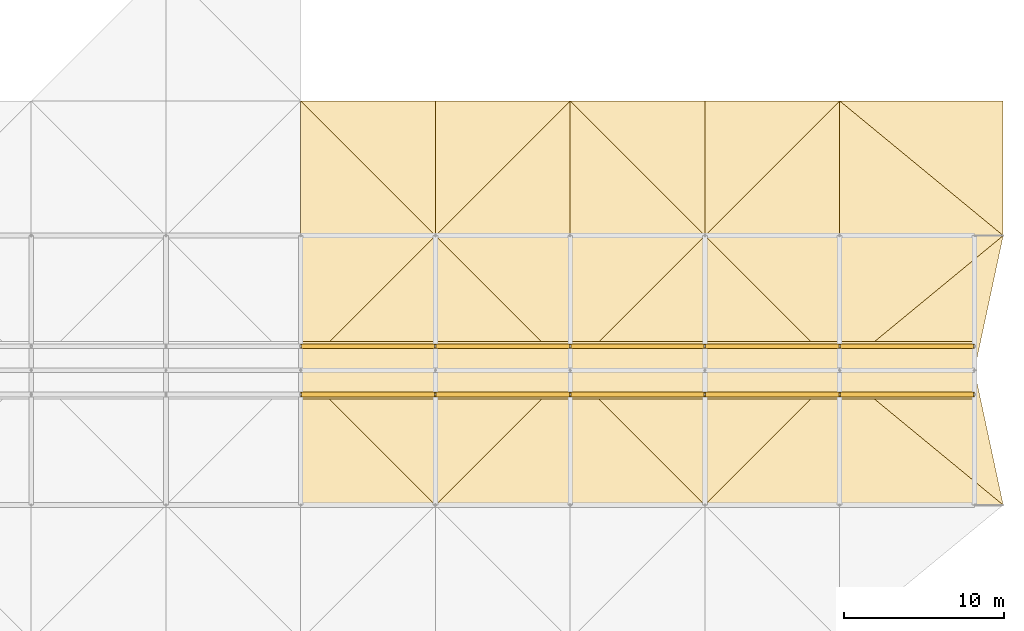
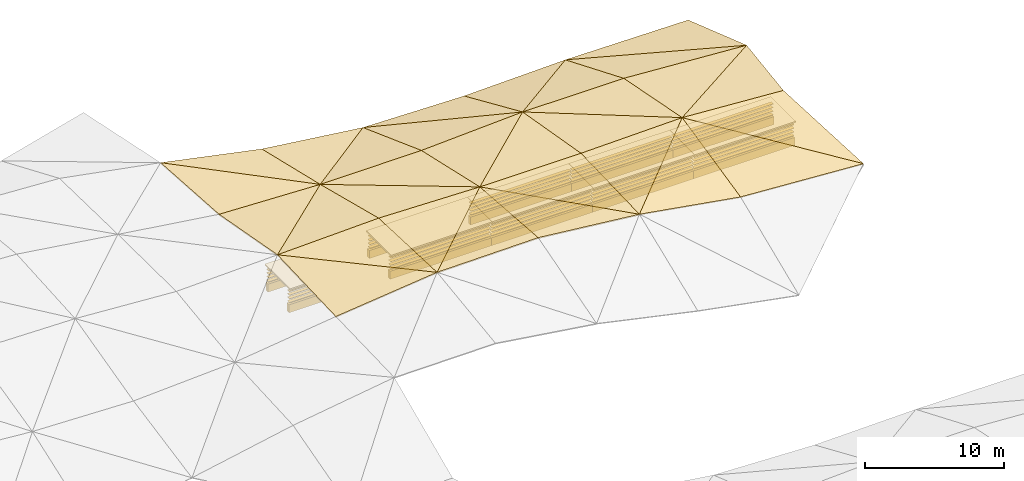
# One storey, part 46 of 46: 45 coverings, 40 shading devices.
"""IFC4 building model written with IfcOpenShell, lengths in metres."""

import ifcopenshell
import ifcopenshell.guid

model = None  # the IFC model being written
_history = None  # IfcOwnerHistory: only IFC2X3 demands one
_inside = {}  # id of a spatial element -> (the spatial element, [elements in it])
_under = {}  # id of a project, library or spatial element -> (it, [spatial elements below it])
_declared = {}  # id of a project -> (the project, [libraries it declares])
_typed = {}  # id of a type object -> (the type object, [elements of that type])
_made_of = {}  # id of a material, layer set ... -> (it, [elements and type objects made of it])


def new_model(schema):
    """Start an empty IFC model of exactly this schema.

    Asked for "IFC4X3", IfcOpenShell would pick the latest addendum, in which some entities
    have other attributes; the version numbers below select the first issue.
    IFC2X3 requires an IfcOwnerHistory on every rooted entity: one is made here for all.
    """
    global model, _history
    if schema == "IFC4X3":
        model = ifcopenshell.file(schema_version=(4, 3, 0, 0))
    else:
        model = ifcopenshell.file(schema=schema)
    _inside.clear()
    _under.clear()
    _declared.clear()
    _typed.clear()
    _made_of.clear()
    _history = None
    if model.schema == "IFC2X3":
        org = make("IfcOrganization", Name="unknown")
        user = make(
            "IfcPersonAndOrganization",
            ThePerson=make("IfcPerson", FamilyName="unknown"),
            TheOrganization=org,
        )
        app = make(
            "IfcApplication",
            ApplicationDeveloper=org,
            Version="unknown",
            ApplicationFullName="unknown",
            ApplicationIdentifier="unknown",
        )
        _history = make(
            "IfcOwnerHistory",
            OwningUser=user,
            OwningApplication=app,
            ChangeAction="ADDED",
            CreationDate=0,
        )
    return model


def make(cls, **values):
    """One entity of the class cls with the attributes given. An attribute that is None is left unset."""
    return model.create_entity(
        cls, **{name: value for name, value in values.items() if value is not None}
    )


def rooted(cls, **values):
    """An entity with a GlobalId (a new one), such as an element, a storey or a relation."""
    return make(cls, GlobalId=ifcopenshell.guid.new(), OwnerHistory=_history, **values)


def si_unit(unit_type, name, prefix=None):
    """IfcSIUnit, for example si_unit("LENGTHUNIT", "METRE", prefix="MILLI")."""
    return make("IfcSIUnit", UnitType=unit_type, Prefix=prefix, Name=name)


def assignment(units):
    """IfcUnitAssignment: the units of a project."""
    return None if units is None else make("IfcUnitAssignment", Units=units)


def point(xyz):
    """IfcCartesianPoint."""
    return None if xyz is None else make("IfcCartesianPoint", Coordinates=xyz)


def direction(xyz):
    """IfcDirection."""
    return None if xyz is None else make("IfcDirection", DirectionRatios=xyz)


def frame(location, z_axis=None, x_axis=None):
    """IfcAxis2Placement3D, a coordinate frame: its origin and axes. An axis left out is left unset."""
    return make(
        "IfcAxis2Placement3D",
        Location=point(location),
        Axis=direction(z_axis),
        RefDirection=direction(x_axis),
    )


def frame_2d(location, x_axis=None):
    """IfcAxis2Placement2D, a coordinate frame in the plane: its origin and x axis."""
    return make(
        "IfcAxis2Placement2D", Location=point(location), RefDirection=direction(x_axis)
    )


def origin():
    """The frame at (0, 0, 0) with its axes left unset."""
    return frame((0.0, 0.0, 0.0))


def origin_2d():
    """The frame at (0, 0) in the plane with its x axis left unset."""
    return frame_2d((0.0, 0.0))


def place(relative_to, where):
    """IfcLocalPlacement: puts the frame where relative to a parent placement (None: the world)."""
    return make(
        "IfcLocalPlacement", PlacementRelTo=relative_to, RelativePlacement=where
    )


def context(
    kind, dimensions, precision=None, world=None, true_north=None, identifier=None
):
    """IfcGeometricRepresentationContext, for example the 3D "Model" context."""
    return make(
        "IfcGeometricRepresentationContext",
        ContextIdentifier=identifier,
        ContextType=kind,
        CoordinateSpaceDimension=dimensions,
        Precision=precision,
        WorldCoordinateSystem=world,
        TrueNorth=true_north,
    )


def subcontext(parent, identifier, kind, view, scale=None):
    """IfcGeometricRepresentationSubContext, for example "Body" below "Model"."""
    return make(
        "IfcGeometricRepresentationSubContext",
        ContextIdentifier=identifier,
        ContextType=kind,
        ParentContext=parent,
        TargetScale=scale,
        TargetView=view,
    )


def project(units=None, contexts=None):
    """IfcProject with its units and contexts."""
    return rooted(
        "IfcProject",
        Name="project",
        RepresentationContexts=contexts,
        UnitsInContext=assignment(units),
    )


def spatial(cls, under=None, at=None, **own):
    """A site, building, storey or space (cls), placed at a placement, below another one or the project."""
    s = rooted(cls, ObjectPlacement=at, **own)
    if under is not None:
        _under.setdefault(under.id(), (under, []))[1].append(s)
    return s


def polyline(points):
    """IfcPolyline through the points."""
    return make("IfcPolyline", Points=[point(p) for p in points])


def profile(cls, at=None, kind="AREA", **sizes):
    """A parametric profile (cls). Its sizes go by their IFC names, for example OverallWidth=200.0."""
    return make(cls, ProfileType=kind, Position=at, **sizes)


def rectangle(**sizes):
    """IfcRectangleProfileDef."""
    return profile("IfcRectangleProfileDef", **sizes)


def outline(outer, holes=None, kind="AREA"):
    """IfcArbitraryClosedProfileDef: a profile drawn as a closed curve; with holes, ...WithVoids."""
    if holes is None:
        return make("IfcArbitraryClosedProfileDef", ProfileType=kind, OuterCurve=outer)
    return make(
        "IfcArbitraryProfileDefWithVoids",
        ProfileType=kind,
        OuterCurve=outer,
        InnerCurves=holes,
    )


def extrude(swept, where, along, depth):
    """IfcExtrudedAreaSolid: the profile swept, set in the frame where, extruded along a direction by depth."""
    return make(
        "IfcExtrudedAreaSolid",
        SweptArea=swept,
        Position=where,
        ExtrudedDirection=direction(along),
        Depth=depth,
    )


def shape(context_of_items, identifier, shape_type, items):
    """IfcShapeRepresentation: the items that make up one representation, for example the "Body"."""
    return make(
        "IfcShapeRepresentation",
        ContextOfItems=context_of_items,
        RepresentationIdentifier=identifier,
        RepresentationType=shape_type,
        Items=items,
    )


def material(Name=None, Category=None):
    """IfcMaterial."""
    return make("IfcMaterial", Name=Name, Category=Category)


def layer(
    of_material, thickness, ventilated=None, Name=None, Category=None, Priority=None
):
    """IfcMaterialLayer: one layer of a wall or slab, of a material (None: an air gap)."""
    return make(
        "IfcMaterialLayer",
        Material=of_material,
        LayerThickness=thickness,
        IsVentilated=ventilated,
        Name=Name,
        Category=Category,
        Priority=Priority,
    )


def layer_set(layers, Name=None):
    """IfcMaterialLayerSet."""
    return make("IfcMaterialLayerSet", MaterialLayers=layers, LayerSetName=Name)


def made_of(thing, what):
    """Note that an element or type object is made of a material, layer set ...; save() writes the relation."""
    if what is not None:
        _made_of.setdefault(what.id(), (what, []))[1].append(thing)
    return thing


def type_object(cls, material=None, **own):
    """A type object (cls), such as IfcWallType, which elements share."""
    return made_of(rooted(cls, **own), material)


def element(
    cls,
    number,
    at=None,
    inside=None,
    cuts=None,
    type_object=None,
    material=None,
    context=None,
    identifier="Body",
    shape_type=None,
    held_by="IfcProductDefinitionShape",
    body=None,
    shapes=None,
    **own,
):
    """One element of the class cls, such as IfcWall. Its Tag is "e" and its number.

    at: its placement. inside: the storey or other place that contains it. cuts: it is an
    opening in that element (IfcRelVoidsElement). A single representation is given by context,
    identifier, shape_type and body (its items); several are given by shapes. held_by: the class
    of the entity that holds the representations. save() writes the other relations.
    """
    e = rooted(cls, Tag="e%d" % number, ObjectPlacement=at, **own)
    if body is not None:
        shapes = [shape(context, identifier, shape_type, body)]
    if shapes is not None:
        e.Representation = make(held_by, Representations=shapes)
    if inside is not None:
        _inside.setdefault(inside.id(), (inside, []))[1].append(e)
    if cuts is not None:
        rooted(
            "IfcRelVoidsElement", RelatingBuildingElement=cuts, RelatedOpeningElement=e
        )
    if type_object is not None:
        _typed.setdefault(type_object.id(), (type_object, []))[1].append(e)
    return made_of(e, material)


def aggregate(whole, parts):
    """IfcRelAggregates: a whole, such as a stair, and the parts it consists of."""
    return rooted("IfcRelAggregates", RelatingObject=whole, RelatedObjects=parts)


def save(model, path):
    """Write the relations noted so far, then the file.

    IfcRelAggregates (storeys below a building ...), IfcRelContainedInSpatialStructure (elements
    in a storey), IfcRelDefinesByType, IfcRelAssociatesMaterial and IfcRelDeclares: one each for
    every whole, place, type object, material and project.
    """
    for whole, parts in _under.values():
        aggregate(whole, parts)
    for where, things in _inside.values():
        rooted(
            "IfcRelContainedInSpatialStructure",
            RelatedElements=things,
            RelatingStructure=where,
        )
    for kind, things in _typed.values():
        rooted("IfcRelDefinesByType", RelatedObjects=things, RelatingType=kind)
    for what, things in _made_of.values():
        rooted("IfcRelAssociatesMaterial", RelatedObjects=things, RelatingMaterial=what)
    for by, libraries in _declared.values():
        rooted("IfcRelDeclares", RelatingContext=by, RelatedDefinitions=libraries)
    model.write(path)


model = new_model("IFC4")

# Units and contexts
model_context = context("Model", 3, precision=1e-05, world=origin(), true_north=direction((0.0, 1.0)))
body_context = subcontext(model_context, "Body", "Model", "MODEL_VIEW")
ifc_project = project(units=[si_unit("LENGTHUNIT", "METRE"), si_unit("AREAUNIT", "SQUARE_METRE"), si_unit("VOLUMEUNIT", "CUBIC_METRE"), si_unit("PLANEANGLEUNIT", "RADIAN"), si_unit("MASSUNIT", "GRAM", prefix="KILO")], contexts=[model_context])

# Site, building, storey
site_placement = place(None, origin())
site = spatial("IfcSite", under=ifc_project, at=site_placement, CompositionType="ELEMENT")
building_placement = place(site_placement, origin())
building = spatial("IfcBuilding", under=site, at=building_placement, Name="Rain Tree Exposition and Congress Centre", CompositionType="ELEMENT")
storey_placement = place(building_placement, frame((0.0, 0.0, 27.0)))
storey = spatial("IfcBuildingStorey", under=building, at=storey_placement, Name="ROOF VAULT CREST", CompositionType="ELEMENT", Elevation=27.0)

# Shading devices
ifc_material_1 = material(Name="Aluminium", Category="aluminium")
ifc_layer_1 = layer(ifc_material_1, 0.0400390625)
ifc_layer_set_1 = layer_set([ifc_layer_1], Name="Aluminium")
shading_device_type = type_object("IfcShadingDeviceType", Name="Lantern louvre blade 40", PredefinedType="JALOUSIE", material=ifc_layer_set_1)
for number, where, z_axis, x_axis, name in (
    (1, (205.800048828125, 174.89990234375, 2.14990234375), (0.0, 0.0, 1.0), (1.0, 0.0, 0.0), "Lantern louvre SR1-7.1"),
    (2, (205.800048828125, 174.89990234375, 2.469970703125), (0.0, 0.0, 1.0), (1.0, 0.0, 0.0), "Lantern louvre SR1-7.2"),
    (3, (205.800048828125, 174.89990234375, 2.7900390625), (0.0, 0.0, 1.0), (1.0, 0.0, 0.0), "Lantern louvre SR1-7.3"),
    (4, (205.800048828125, 174.89990234375, 3.10986328125), (0.0, 0.0, 1.0), (1.0, 0.0, 0.0), "Lantern louvre SR1-7.4"),
    (5, (214.199951171875, 174.89990234375, 2.14990234375), (0.0, 0.0, 1.0), (1.0, 0.0, 0.0), "Lantern louvre SR1-8.1"),
    (6, (214.199951171875, 174.89990234375, 2.469970703125), (0.0, 0.0, 1.0), (1.0, 0.0, 0.0), "Lantern louvre SR1-8.2"),
    (7, (214.199951171875, 174.89990234375, 2.7900390625), (0.0, 0.0, 1.0), (1.0, 0.0, 0.0), "Lantern louvre SR1-8.3"),
    (8, (214.199951171875, 174.89990234375, 3.10986328125), (0.0, 0.0, 1.0), (1.0, 0.0, 0.0), "Lantern louvre SR1-8.4"),
    (9, (222.60009765625, 174.89990234375, 2.14990234375), (0.0, 0.0, 1.0), (1.0, 0.0, 0.0), "Lantern louvre SR1-9.1"),
    (10, (222.60009765625, 174.89990234375, 2.469970703125), (0.0, 0.0, 1.0), (1.0, 0.0, 0.0), "Lantern louvre SR1-9.2"),
    (11, (222.60009765625, 174.89990234375, 2.7900390625), (0.0, 0.0, 1.0), (1.0, 0.0, 0.0), "Lantern louvre SR1-9.3"),
    (12, (222.60009765625, 174.89990234375, 3.10986328125), (0.0, 0.0, 1.0), (1.0, 0.0, 0.0), "Lantern louvre SR1-9.4"),
    (13, (231.0, 174.89990234375, 2.14990234375), (0.0, 0.0, 1.0), (1.0, 0.0, 0.0), "Lantern louvre SR1-10.1"),
    (14, (231.0, 174.89990234375, 2.469970703125), (0.0, 0.0, 1.0), (1.0, 0.0, 0.0), "Lantern louvre SR1-10.2"),
    (15, (231.0, 174.89990234375, 2.7900390625), (0.0, 0.0, 1.0), (1.0, 0.0, 0.0), "Lantern louvre SR1-10.3"),
    (16, (231.0, 174.89990234375, 3.10986328125), (0.0, 0.0, 1.0), (1.0, 0.0, 0.0), "Lantern louvre SR1-10.4"),
    (17, (239.39990234375, 174.89990234375, 2.14990234375), (0.0, 0.0, 1.0), (1.0, 0.0, 0.0), "Lantern louvre SR1-11.1"),
    (18, (239.39990234375, 174.89990234375, 2.469970703125), (0.0, 0.0, 1.0), (1.0, 0.0, 0.0), "Lantern louvre SR1-11.2"),
    (19, (239.39990234375, 174.89990234375, 2.7900390625), (0.0, 0.0, 1.0), (1.0, 0.0, 0.0), "Lantern louvre SR1-11.3"),
    (20, (239.39990234375, 174.89990234375, 3.10986328125), (0.0, 0.0, 1.0), (1.0, 0.0, 0.0), "Lantern louvre SR1-11.4"),
    (21, (205.800048828125, 177.89990234375, 2.14990234375), (0.0, 0.0, 1.0), (1.0, 0.0, 0.0), "Lantern louvre NR1-7.1"),
    (22, (205.800048828125, 177.89990234375, 2.469970703125), (0.0, 0.0, 1.0), (1.0, 0.0, 0.0), "Lantern louvre NR1-7.2"),
    (23, (205.800048828125, 177.89990234375, 2.7900390625), (0.0, 0.0, 1.0), (1.0, 0.0, 0.0), "Lantern louvre NR1-7.3"),
    (24, (205.800048828125, 177.89990234375, 3.10986328125), (0.0, 0.0, 1.0), (1.0, 0.0, 0.0), "Lantern louvre NR1-7.4"),
    (25, (214.199951171875, 177.89990234375, 2.14990234375), (0.0, 0.0, 1.0), (1.0, 0.0, 0.0), "Lantern louvre NR1-8.1"),
    (26, (214.199951171875, 177.89990234375, 2.469970703125), (0.0, 0.0, 1.0), (1.0, 0.0, 0.0), "Lantern louvre NR1-8.2"),
    (27, (214.199951171875, 177.89990234375, 2.7900390625), (0.0, 0.0, 1.0), (1.0, 0.0, 0.0), "Lantern louvre NR1-8.3"),
    (28, (214.199951171875, 177.89990234375, 3.10986328125), (0.0, 0.0, 1.0), (1.0, 0.0, 0.0), "Lantern louvre NR1-8.4"),
    (29, (222.60009765625, 177.89990234375, 2.14990234375), (0.0, 0.0, 1.0), (1.0, 0.0, 0.0), "Lantern louvre NR1-9.1"),
    (30, (222.60009765625, 177.89990234375, 2.469970703125), (0.0, 0.0, 1.0), (1.0, 0.0, 0.0), "Lantern louvre NR1-9.2"),
    (31, (222.60009765625, 177.89990234375, 2.7900390625), (0.0, 0.0, 1.0), (1.0, 0.0, 0.0), "Lantern louvre NR1-9.3"),
    (32, (222.60009765625, 177.89990234375, 3.10986328125), (0.0, 0.0, 1.0), (1.0, 0.0, 0.0), "Lantern louvre NR1-9.4"),
    (33, (231.0, 177.89990234375, 2.14990234375), (0.0, 0.0, 1.0), (1.0, 0.0, 0.0), "Lantern louvre NR1-10.1"),
    (34, (231.0, 177.89990234375, 2.469970703125), (0.0, 0.0, 1.0), (1.0, 0.0, 0.0), "Lantern louvre NR1-10.2"),
    (35, (231.0, 177.89990234375, 2.7900390625), (0.0, 0.0, 1.0), (1.0, 0.0, 0.0), "Lantern louvre NR1-10.3"),
    (36, (231.0, 177.89990234375, 3.10986328125), (0.0, 0.0, 1.0), (1.0, 0.0, 0.0), "Lantern louvre NR1-10.4"),
    (37, (239.39990234375, 177.89990234375, 2.14990234375), (0.0, 0.0, 1.0), (1.0, 0.0, 0.0), "Lantern louvre NR1-11.1"),
    (38, (239.39990234375, 177.89990234375, 2.469970703125), (0.0, 0.0, 1.0), (1.0, 0.0, 0.0), "Lantern louvre NR1-11.2"),
    (39, (239.39990234375, 177.89990234375, 2.7900390625), (0.0, 0.0, 1.0), (1.0, 0.0, 0.0), "Lantern louvre NR1-11.3"),
    (40, (239.39990234375, 177.89990234375, 3.10986328125), (0.0, 0.0, 1.0), (1.0, 0.0, 0.0), "Lantern louvre NR1-11.4"),
):
    element("IfcShadingDevice", number, at=place(storey_placement, frame(where, z_axis=z_axis, x_axis=x_axis)), inside=storey, type_object=shading_device_type, Name=name, PredefinedType="JALOUSIE", context=body_context, shape_type="SweptSolid", body=[
        extrude(rectangle(XDim=8.300048828125, YDim=0.300048828125, at=origin_2d()), origin(), (0.0, 0.0, 1.0), 0.0400390625),
    ])

# Coverings
ifc_material_2 = material(Name="Aluminium composite", Category="aluminium")
ifc_layer_2 = layer(ifc_material_2, 0.1201171875)
ifc_layer_set_2 = layer_set([ifc_layer_2], Name="Aluminium composite")
covering_type_1 = type_object("IfcCoveringType", Name="Ridge lantern cap 120", PredefinedType="CLADDING", material=ifc_layer_set_2)
for number, where, z_axis, x_axis, name in (
    (41, (205.800048828125, 176.39990234375, 3.3798828125), (0.0, 0.0, 1.0), (1.0, 0.0, 0.0), "Lantern cap R1-7"),
    (42, (214.199951171875, 176.39990234375, 3.3798828125), (0.0, 0.0, 1.0), (1.0, 0.0, 0.0), "Lantern cap R1-8"),
    (43, (222.60009765625, 176.39990234375, 3.3798828125), (0.0, 0.0, 1.0), (1.0, 0.0, 0.0), "Lantern cap R1-9"),
    (44, (231.0, 176.39990234375, 3.3798828125), (0.0, 0.0, 1.0), (1.0, 0.0, 0.0), "Lantern cap R1-10"),
    (45, (239.39990234375, 176.39990234375, 3.3798828125), (0.0, 0.0, 1.0), (1.0, 0.0, 0.0), "Lantern cap R1-11"),
):
    element("IfcCovering", number, at=place(storey_placement, frame(where, z_axis=z_axis, x_axis=x_axis)), inside=storey, type_object=covering_type_1, Name=name, PredefinedType="CLADDING", context=body_context, shape_type="SweptSolid", body=[
        extrude(rectangle(XDim=8.39990234375, YDim=3.60009765625, at=origin_2d()), origin(), (0.0, 0.0, 1.0), 0.1201171875),
    ])
ifc_material_3 = material(Name="Precast concrete C50/60", Category="concrete")
ifc_layer_3 = layer(ifc_material_3, 0.300048828125)
ifc_layer_set_3 = layer_set([ifc_layer_3], Name="Precast concrete C50/60")
covering_type_2 = type_object("IfcCoveringType", Name="Ridge lantern kerb 300", PredefinedType="CLADDING", material=ifc_layer_set_3)
for number, where, z_axis, x_axis, name in (
    (46, (205.800048828125, 174.89990234375, 1.2998046875), (0.0, 0.0, 1.0), (1.0, 0.0, 0.0), "Lantern kerb SR1-7"),
    (47, (214.199951171875, 174.89990234375, 1.2998046875), (0.0, 0.0, 1.0), (1.0, 0.0, 0.0), "Lantern kerb SR1-8"),
    (48, (222.60009765625, 174.89990234375, 1.2998046875), (0.0, 0.0, 1.0), (1.0, 0.0, 0.0), "Lantern kerb SR1-9"),
    (49, (231.0, 174.89990234375, 1.2998046875), (0.0, 0.0, 1.0), (1.0, 0.0, 0.0), "Lantern kerb SR1-10"),
    (50, (239.39990234375, 174.89990234375, 1.2998046875), (0.0, 0.0, 1.0), (1.0, 0.0, 0.0), "Lantern kerb SR1-11"),
    (51, (205.800048828125, 177.89990234375, 1.2998046875), (0.0, 0.0, 1.0), (1.0, 0.0, 0.0), "Lantern kerb NR1-7"),
    (52, (214.199951171875, 177.89990234375, 1.2998046875), (0.0, 0.0, 1.0), (1.0, 0.0, 0.0), "Lantern kerb NR1-8"),
    (53, (222.60009765625, 177.89990234375, 1.2998046875), (0.0, 0.0, 1.0), (1.0, 0.0, 0.0), "Lantern kerb NR1-9"),
    (54, (231.0, 177.89990234375, 1.2998046875), (0.0, 0.0, 1.0), (1.0, 0.0, 0.0), "Lantern kerb NR1-10"),
    (55, (239.39990234375, 177.89990234375, 1.2998046875), (0.0, 0.0, 1.0), (1.0, 0.0, 0.0), "Lantern kerb NR1-11"),
):
    element("IfcCovering", number, at=place(storey_placement, frame(where, z_axis=z_axis, x_axis=x_axis)), inside=storey, type_object=covering_type_2, Name=name, PredefinedType="CLADDING", context=body_context, shape_type="SweptSolid", body=[
        extrude(rectangle(XDim=8.39990234375, YDim=0.300048828125, at=origin_2d()), origin(), (0.0, 0.0, 1.0), 0.699951171875),
    ])
ifc_material_4 = material(Name="Aluminium composite cladding", Category="aluminium")
ifc_layer_4 = layer(ifc_material_4, 0.10009765625)
ifc_layer_set_4 = layer_set([ifc_layer_4], Name="Aluminium composite cladding")
covering_type_3 = type_object("IfcCoveringType", Name="Triangular aluminium roof skin facet 100", PredefinedType="CLADDING", material=ifc_layer_set_4)
covering_1_placement = place(storey_placement, frame((201.60009765625, 168.0, 5.076904296875), z_axis=(-0.110525217065, -0.038188786152, 0.993139362328), x_axis=(0.993864344374, 0.0, 0.110605899396)))
element("IfcCovering", 56, at=covering_1_placement, inside=storey, type_object=covering_type_3, Name="Roof skin facet B207", PredefinedType="CLADDING", context=body_context, shape_type="SweptSolid", body=[
    extrude(outline(polyline([(0.0, 0.0), (8.451759429036544, 0.0), (0.035725489477676266, 8.406034190521911), (0.0, 0.0)])), origin(), (0.0, 0.0, -1.0), 0.10009765625),
])
covering_2_placement = place(storey_placement, frame((210.0, 168.0, 6.01171875), z_axis=(-0.032944380869, 0.039794490019, 0.998664641576), x_axis=(0.0, 0.999207024576, -0.039816102735)))
element("IfcCovering", 57, at=covering_2_placement, inside=storey, type_object=covering_type_3, Name="Roof skin facet B208", PredefinedType="CLADDING", context=body_context, shape_type="SweptSolid", body=[
    extrude(outline(polyline([(0.0, 0.0), (8.406568546003001, 0.0), (8.417601572517656, 8.404464399970912), (0.0, 0.0)])), origin(), (0.0, 0.0, -1.0), 0.10009765625),
])
covering_3_placement = place(storey_placement, frame((210.0, 168.0, 6.01171875), z_axis=(-0.012142430278, 0.075520700011, 0.99707030106), x_axis=(0.999925855084, 0.0, 0.012177205525)))
element("IfcCovering", 58, at=covering_3_placement, inside=storey, type_object=covering_type_3, Name="Roof skin facet B209", PredefinedType="CLADDING", context=body_context, shape_type="SweptSolid", body=[
    extrude(outline(polyline([(0.0, 0.0), (8.40052519998471, 0.0), (8.392777690805714, 8.42395919802584), (0.0, 0.0)])), origin(), (0.0, 0.0, -1.0), 0.10009765625),
])
covering_4_placement = place(storey_placement, frame((210.0, 168.0, 6.01171875), z_axis=(0.023691335219, 0.039804927188, 0.998926568075), x_axis=(0.706393605076, 0.706393605076, -0.044901552471)))
element("IfcCovering", 59, at=covering_4_placement, inside=storey, type_object=covering_type_3, Name="Roof skin facet B210", PredefinedType="CLADDING", context=body_context, shape_type="SweptSolid", body=[
    extrude(outline(polyline([(0.0, 0.0), (11.891249132756837, -1.205632815803881e-16), (5.948666602709126, 5.940013499013287), (0.0, 0.0)])), origin(), (0.0, 0.0, -1.0), 0.10009765625),
])
covering_5_placement = place(storey_placement, frame((218.39990234375, 168.0, 6.114013671875), z_axis=(0.104509081172, 0.075112681005, 0.991683385514), x_axis=(0.994492775482, 0.0, -0.104805150228)))
element("IfcCovering", 60, at=covering_5_placement, inside=storey, type_object=covering_type_3, Name="Roof skin facet B211", PredefinedType="CLADDING", context=body_context, shape_type="SweptSolid", body=[
    extrude(outline(polyline([(0.0, 0.0), (8.446664160335047, -1.3877787807814457e-17), (0.06668022985702148, 8.423698851505131), (0.0, 0.0)])), origin(), (0.0, 0.0, -1.0), 0.10009765625),
])
covering_6_placement = place(storey_placement, frame((226.800048828125, 168.0, 5.228759765625), z_axis=(-0.00122009984, -0.030851992643, 0.999523219293), x_axis=(0.0, 0.999523963261, 0.030852015607)))
element("IfcCovering", 61, at=covering_6_placement, inside=storey, type_object=covering_type_3, Name="Roof skin facet B212", PredefinedType="CLADDING", context=body_context, shape_type="SweptSolid", body=[
    extrude(outline(polyline([(0.0, 0.0), (8.403902910286316, 5.421010862427522e-20), (8.403586556610655, 8.40015273679422), (0.0, 0.0)])), origin(), (0.0, 0.0, -1.0), 0.10009765625),
])
covering_7_placement = place(storey_placement, frame((226.800048828125, 168.0, 5.228759765625), z_axis=(0.163174827533, -0.214562303236, 0.962983381835), x_axis=(0.985945758784, 0.0, -0.16706573777)))
element("IfcCovering", 62, at=covering_7_placement, inside=storey, type_object=covering_type_3, Name="Roof skin facet B213", PredefinedType="CLADDING", context=body_context, shape_type="SweptSolid", body=[
    extrude(outline(polyline([(0.0, 0.0), (8.519639411110251, 0.0), (8.206962178262724, 8.600198348427403), (0.0, 0.0)])), origin(), (0.0, 0.0, -1.0), 0.10009765625),
])
covering_8_placement = place(storey_placement, frame((226.800048828125, 168.0, 5.228759765625), z_axis=(-0.022479685253, -0.030844219301, 0.999271383502), x_axis=(0.70660393109, 0.70660393109, 0.037706354051)))
element("IfcCovering", 63, at=covering_8_placement, inside=storey, type_object=covering_type_3, Name="Roof skin facet B214", PredefinedType="CLADDING", context=body_context, shape_type="SweptSolid", body=[
    extrude(outline(polyline([(0.0, 0.0), (11.887709612357138, -1.5178830414797062e-16), (5.945180420188177, 5.939731803451224), (0.0, 0.0)])), origin(), (0.0, 0.0, -1.0), 0.10009765625),
])
covering_9_placement = place(storey_placement, frame((235.199951171875, 168.0, 3.805419921875), z_axis=(0.061931910036, -0.217059637905, 0.974191742991), x_axis=(0.997985366259, 0.0, -0.063444532727)))
element("IfcCovering", 64, at=covering_9_placement, inside=storey, type_object=covering_type_3, Name="Roof skin facet B215", PredefinedType="CLADDING", context=body_context, shape_type="SweptSolid", body=[
    extrude(outline(polyline([(0.0, 0.0), (10.220541820277457, 2.7755575615628914e-17), (-0.11874164743212473, 8.60506124936945), (0.0, 0.0)])), origin(), (0.0, 0.0, -1.0), 0.10009765625),
])
covering_10_placement = place(storey_placement, frame((245.39990234375, 168.0, 3.156982421875), z_axis=(0.064302164692, -0.214317488493, 0.974645189667), x_axis=(-0.204230592584, 0.953168443902, 0.223069008612)))
element("IfcCovering", 65, at=covering_10_placement, inside=storey, type_object=covering_type_3, Name="Roof skin facet B216", PredefinedType="CLADDING", context=body_context, shape_type="SweptSolid", body=[
    extrude(outline(polyline([(0.0, 0.0), (8.812610611999222, -2.5673907444456745e-16), (10.651802176594881, 8.215045472895506), (0.0, 0.0)])), origin(), (0.0, 0.0, -1.0), 0.10009765625),
])
covering_11_placement = place(storey_placement, frame((201.60009765625, 176.39990234375, 5.39990234375), z_axis=(-0.03195824269, 0.245888301269, 0.968771187651), x_axis=(0.999456325364, 0.0, 0.032970497276)))
element("IfcCovering", 66, at=covering_11_placement, inside=storey, type_object=covering_type_3, Name="Roof skin facet B231", PredefinedType="CLADDING", context=body_context, shape_type="SweptSolid", body=[
    extrude(outline(polyline([(0.0, 0.0), (8.40447164181381, -1.3877787807814457e-17), (8.334175901405178, 8.66621514430467), (0.0, 0.0)])), origin(), (0.0, 0.0, -1.0), 0.10009765625),
])
covering_12_placement = place(storey_placement, frame((201.60009765625, 176.39990234375, 5.39990234375), z_axis=(0.03691119096, 0.180151087645, 0.982946158038), x_axis=(0.698630439745, 0.698650745228, -0.154281057989)))
element("IfcCovering", 67, at=covering_12_placement, inside=storey, type_object=covering_type_3, Name="Roof skin facet B232", PredefinedType="CLADDING", context=body_context, shape_type="SweptSolid", body=[
    extrude(outline(polyline([(0.0, 0.0), (12.023384418828936, 3.3306690738754696e-16), (6.106292124690803, 5.970416572982512), (0.0, 0.0)])), origin(), (0.0, 0.0, -1.0), 0.10009765625),
])
covering_13_placement = place(storey_placement, frame((210.0, 176.39990234375, 5.677001953125), z_axis=(0.022981816899, 0.245948987566, 0.969010284573), x_axis=(0.999718875442, 0.0, -0.023710126209)))
element("IfcCovering", 68, at=covering_13_placement, inside=storey, type_object=covering_type_3, Name="Roof skin facet B233", PredefinedType="CLADDING", context=body_context, shape_type="SweptSolid", body=[
    extrude(outline(polyline([(0.0, 0.0), (8.402264426622642, 0.0), (0.050551887740897576, 8.666352804100525), (0.0, 0.0)])), origin(), (0.0, 0.0, -1.0), 0.10009765625),
])
covering_14_placement = place(storey_placement, frame((218.39990234375, 176.39990234375, 5.477783203125), z_axis=(-0.004394547634, 0.220061208713, 0.975476166993), x_axis=(0.0, 0.975485586351, -0.22006333366)))
element("IfcCovering", 69, at=covering_14_placement, inside=storey, type_object=covering_type_3, Name="Roof skin facet B234", PredefinedType="CLADDING", context=body_context, shape_type="SweptSolid", body=[
    extrude(outline(polyline([(0.0, 0.0), (8.611246134142064, -1.734723475976807e-18), (8.619573726114078, 8.399983454587241), (0.0, 0.0)])), origin(), (0.0, 0.0, -1.0), 0.10009765625),
])
covering_15_placement = place(storey_placement, frame((218.39990234375, 176.39990234375, 5.477783203125), z_axis=(-0.001202480407, 0.172040589661, 0.985089127719), x_axis=(0.999999254969, 0.0, 0.001220680929)))
element("IfcCovering", 70, at=covering_15_placement, inside=storey, type_object=covering_type_3, Name="Roof skin facet B235", PredefinedType="CLADDING", context=body_context, shape_type="SweptSolid", body=[
    extrude(outline(polyline([(0.0, 0.0), (8.400152742751231, 0.0), (8.398361953762056, 8.527289551408378), (0.0, 0.0)])), origin(), (0.0, 0.0, -1.0), 0.10009765625),
])
covering_16_placement = place(storey_placement, frame((218.39990234375, 176.39990234375, 5.477783203125), z_axis=(-0.050824936799, 0.219778918905, 0.974224847047), x_axis=(0.701849287739, 0.701849287739, -0.121717519689)))
element("IfcCovering", 71, at=covering_16_placement, inside=storey, type_object=covering_type_3, Name="Roof skin facet B236", PredefinedType="CLADDING", context=body_context, shape_type="SweptSolid", body=[
    extrude(outline(polyline([(0.0, 0.0), (11.968590167599379, 5.551115123125783e-17), (6.126293904071698, 6.051618211991781), (0.0, 0.0)])), origin(), (0.0, 0.0, -1.0), 0.10009765625),
])
covering_17_placement = place(storey_placement, frame((226.800048828125, 176.39990234375, 5.488037109375), z_axis=(-0.022155216681, 0.171998485456, 0.984848042784), x_axis=(0.999747059277, 0.0, 0.022490386092)))
element("IfcCovering", 72, at=covering_17_placement, inside=storey, type_object=covering_type_3, Name="Roof skin facet B237", PredefinedType="CLADDING", context=body_context, shape_type="SweptSolid", body=[
    extrude(outline(polyline([(0.0, 0.0), (8.402027558673574, 6.938893903907228e-18), (-0.032994318854172394, 8.527225907374982), (0.0, 0.0)])), origin(), (0.0, 0.0, -1.0), 0.10009765625),
])
covering_18_placement = place(storey_placement, frame((235.199951171875, 176.39990234375, 5.677001953125), z_axis=(-0.001312060055, 0.192154167, 0.981363874719), x_axis=(0.0, 0.981364719429, -0.192154332397)))
element("IfcCovering", 73, at=covering_18_placement, inside=storey, type_object=covering_type_3, Name="Roof skin facet B238", PredefinedType="CLADDING", context=body_context, shape_type="SweptSolid", body=[
    extrude(outline(polyline([(0.0, 0.0), (8.559658114934457, 0.0), (8.561816098159623, 8.399909573981942), (0.0, 0.0)])), origin(), (0.0, 0.0, -1.0), 0.10009765625),
])
covering_19_placement = place(storey_placement, frame((235.199951171875, 176.39990234375, 5.677001953125), z_axis=(0.064617025403, 0.191221780724, 0.97941761808), x_axis=(0.997830732242, 0.0, -0.065831829633)))
element("IfcCovering", 74, at=covering_19_placement, inside=storey, type_object=covering_type_3, Name="Roof skin facet B239", PredefinedType="CLADDING", context=body_context, shape_type="SweptSolid", body=[
    extrude(outline(polyline([(0.0, 0.0), (8.418408265997842, -1.3877787807814457e-17), (10.330092997142293, 8.558069778120732), (0.0, 0.0)])), origin(), (0.0, 0.0, -1.0), 0.10009765625),
])
covering_20_placement = place(storey_placement, frame((235.199951171875, 176.39990234375, 5.677001953125), z_axis=(0.0641581035, 0.191758445772, 0.979342859386), x_axis=(0.760362171712, 0.626194529359, -0.172423256057)))
element("IfcCovering", 75, at=covering_20_placement, inside=storey, type_object=covering_type_3, Name="Roof skin facet B240", PredefinedType="CLADDING", context=body_context, shape_type="SweptSolid", body=[
    extrude(outline(polyline([(0.0, 0.0), (13.414595769414436, -7.771561172376096e-16), (5.543723302667054, 6.5218769528433755), (0.0, 0.0)])), origin(), (0.0, 0.0, -1.0), 0.10009765625),
])
covering_21_placement = place(storey_placement, frame((201.60009765625, 184.800048828125, 3.8603515625), z_axis=(0.037441258931, 0.066826271745, 0.997061884506), x_axis=(0.999295683842, 0.0, -0.037525141647)))
element("IfcCovering", 76, at=covering_21_placement, inside=storey, type_object=covering_type_3, Name="Roof skin facet B255", PredefinedType="CLADDING", context=body_context, shape_type="SweptSolid", body=[
    extrude(outline(polyline([(0.0, 0.0), (8.405822700503093, -3.469446951953614e-18), (0.02112621499977881, 8.418721332387797), (0.0, 0.0)])), origin(), (0.0, 0.0, -1.0), 0.10009765625),
])
covering_22_placement = place(storey_placement, frame((210.0, 184.800048828125, 3.544921875), z_axis=(0.197425499272, 0.225541995938, 0.954019905613), x_axis=(0.0, 0.973174020364, -0.230070263374)))
element("IfcCovering", 77, at=covering_22_placement, inside=storey, type_object=covering_type_3, Name="Roof skin facet B256", PredefinedType="CLADDING", context=body_context, shape_type="SweptSolid", body=[
    extrude(outline(polyline([(0.0, 0.0), (8.631449430400538, 0.0), (8.231522605395277, 8.56854944685969), (0.0, 0.0)])), origin(), (0.0, 0.0, -1.0), 0.10009765625),
])
covering_23_placement = place(storey_placement, frame((210.0, 184.800048828125, 3.544921875), z_axis=(-0.004229289962, 0.344455203117, 0.938793228646), x_axis=(0.999989852515, 0.0, 0.004504982478)))
element("IfcCovering", 78, at=covering_23_placement, inside=storey, type_object=covering_type_3, Name="Roof skin facet B257", PredefinedType="CLADDING", context=body_context, shape_type="SweptSolid", body=[
    extrude(outline(polyline([(0.0, 0.0), (8.39998758249841, 1.734723475976807e-18), (8.386103085720354, 8.947462390603413), (0.0, 0.0)])), origin(), (0.0, 0.0, -1.0), 0.10009765625),
])
covering_24_placement = place(storey_placement, frame((210.0, 184.800048828125, 3.544921875), z_axis=(0.12170404358, 0.228360020872, 0.965939866992), x_axis=(0.684973386236, 0.684973386236, -0.248239642881)))
element("IfcCovering", 79, at=covering_24_placement, inside=storey, type_object=covering_type_3, Name="Roof skin facet B258", PredefinedType="CLADDING", context=body_context, shape_type="SweptSolid", body=[
    extrude(outline(polyline([(0.0, 0.0), (12.26310760760057, -1.942890293094024e-16), (6.246673726078829, 5.95659186359769), (0.0, 0.0)])), origin(), (0.0, 0.0, -1.0), 0.10009765625),
])
covering_25_placement = place(storey_placement, frame((218.39990234375, 184.800048828125, 3.582763671875), z_axis=(-0.048918284923, 0.344045892819, 0.937677676515), x_axis=(0.99864193707, 0.0, 0.052098767025)))
element("IfcCovering", 80, at=covering_25_placement, inside=storey, type_object=covering_type_3, Name="Roof skin facet B259", PredefinedType="CLADDING", context=body_context, shape_type="SweptSolid", body=[
    extrude(outline(polyline([(0.0, 0.0), (8.411569925676186, 0.0), (-0.16057002805850873, 8.946032264451242), (0.0, 0.0)])), origin(), (0.0, 0.0, -1.0), 0.10009765625),
])
covering_26_placement = place(storey_placement, frame((226.800048828125, 184.800048828125, 4.02099609375), z_axis=(0.018411314406, 0.402054130321, 0.915430772803), x_axis=(0.0, 0.915585967018, -0.402122291101)))
element("IfcCovering", 81, at=covering_26_placement, inside=storey, type_object=covering_type_3, Name="Roof skin facet B260", PredefinedType="CLADDING", context=body_context, shape_type="SweptSolid", body=[
    extrude(outline(polyline([(0.0, 0.0), (9.174345879403608, 6.938893903907228e-18), (9.106409203270404, 8.40157057255424), (0.0, 0.0)])), origin(), (0.0, 0.0, -1.0), 0.10009765625),
])
covering_27_placement = place(storey_placement, frame((226.800048828125, 184.800048828125, 4.02099609375), z_axis=(-0.001235640661, 0.381893549622, 0.924205491192), x_axis=(0.999999106249, 0.0, 0.001336974914)))
element("IfcCovering", 82, at=covering_27_placement, inside=storey, type_object=covering_type_3, Name="Roof skin facet B261", PredefinedType="CLADDING", context=body_context, shape_type="SweptSolid", body=[
    extrude(outline(polyline([(0.0, 0.0), (8.399909851180851, -8.673617379884035e-19), (8.395269281759262, 9.088773997102244), (0.0, 0.0)])), origin(), (0.0, 0.0, -1.0), 0.10009765625),
])
covering_28_placement = place(storey_placement, frame((226.800048828125, 184.800048828125, 4.02099609375), z_axis=(-0.025006733379, 0.401996540522, 0.915299647489), x_axis=(0.678900283377, 0.678900283377, -0.279622621512)))
element("IfcCovering", 83, at=covering_28_placement, inside=storey, type_object=covering_type_3, Name="Roof skin facet B262", PredefinedType="CLADDING", context=body_context, shape_type="SweptSolid", body=[
    extrude(outline(polyline([(0.0, 0.0), (12.372807243453384, 4.440892098500626e-16), (6.734282369027277, 6.230414375395776), (0.0, 0.0)])), origin(), (0.0, 0.0, -1.0), 0.10009765625),
])
covering_29_placement = place(storey_placement, frame((235.199951171875, 184.800048828125, 4.0322265625), z_axis=(0.060435353305, 0.381195782545, 0.922516852659), x_axis=(0.997861011989, 0.0, -0.065371253257)))
element("IfcCovering", 84, at=covering_29_placement, inside=storey, type_object=covering_type_3, Name="Roof skin facet B263", PredefinedType="CLADDING", context=body_context, shape_type="SweptSolid", body=[
    extrude(outline(polyline([(0.0, 0.0), (10.221815512707693, 5.551115123125783e-17), (0.22690017274199903, 9.085942472682516), (0.0, 0.0)])), origin(), (0.0, 0.0, -1.0), 0.10009765625),
])
covering_30_placement = place(storey_placement, frame((245.39990234375, 184.800048828125, 3.364013671875), z_axis=(0.006928820653, 0.324062058305, 0.946010451217), x_axis=(0.0, 0.946033160332, -0.324069837461)))
element("IfcCovering", 85, at=covering_30_placement, inside=storey, type_object=covering_type_3, Name="Roof skin facet B264", PredefinedType="CLADDING", context=body_context, shape_type="SweptSolid", body=[
    extrude(outline(polyline([(0.0, 0.0), (8.879078129566082, -3.469446951953614e-18), (8.854867834091719, 10.20019602315296), (0.0, 0.0)])), origin(), (0.0, 0.0, -1.0), 0.10009765625),
])

save(model, "model.ifc")
